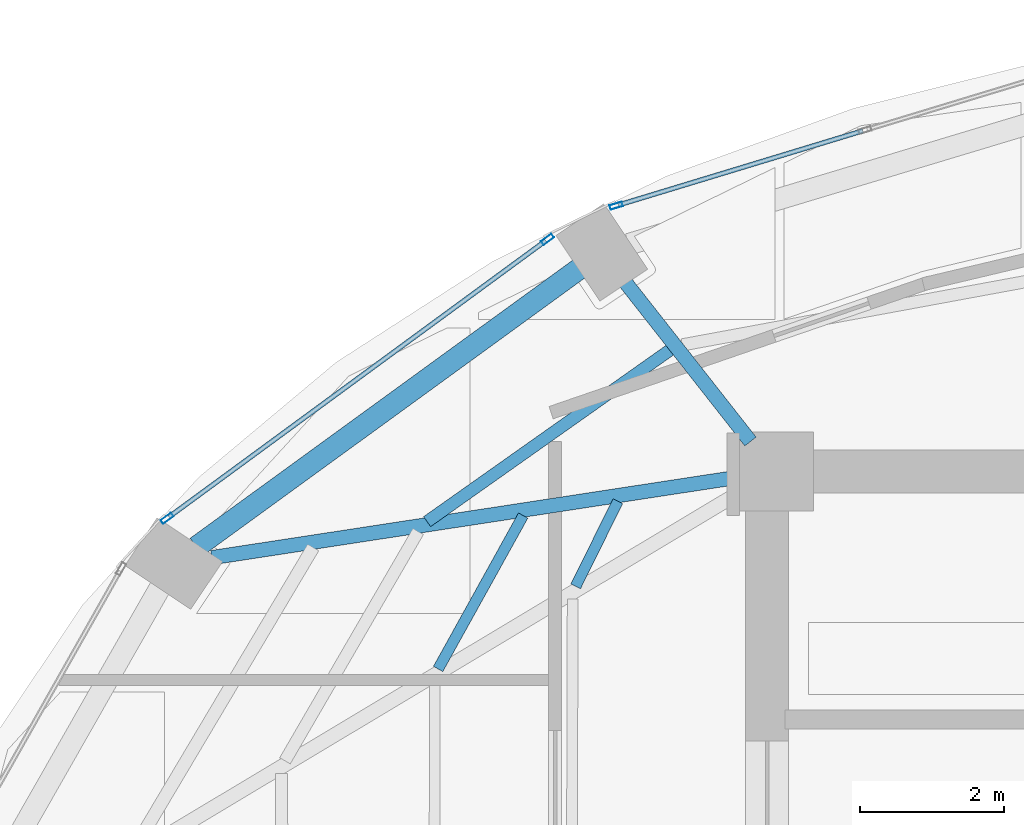
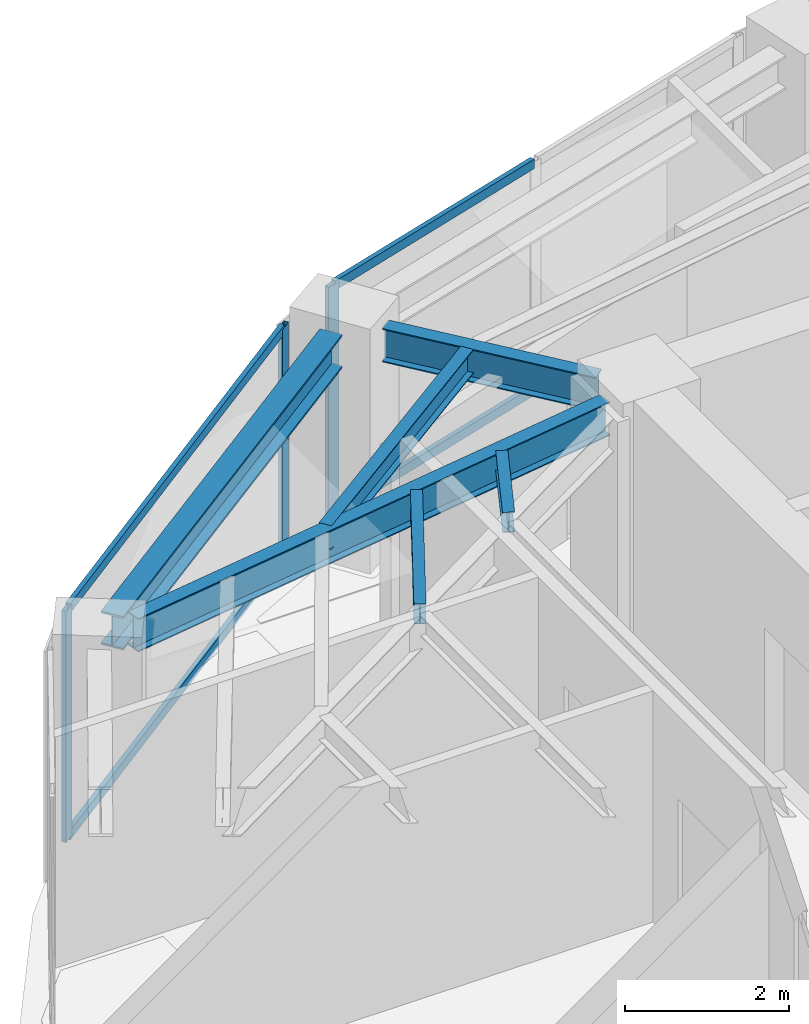
# One storey, part 10 of 23: 7 members, 6 beams, 2 elements without a shape of their own.
"""IFC4 building model written with IfcOpenShell, lengths in metres."""

from ifc_helpers import new_model, si_unit, direction, frame, origin, origin_2d, place, context, subcontext, project, spatial, hollow_rectangle, i_section, extrude, material, layer, layer_set, material_profile, profile_set, type_object, element, aggregate, save


model = new_model("IFC4")

# Units and contexts
model_context = context("Model", 3, precision=1e-05, world=origin(), true_north=direction((0.0, 1.0)))
body_context = subcontext(model_context, "Body", "Model", "MODEL_VIEW")
ifc_project = project(units=[si_unit("LENGTHUNIT", "METRE"), si_unit("AREAUNIT", "SQUARE_METRE"), si_unit("VOLUMEUNIT", "CUBIC_METRE"), si_unit("PLANEANGLEUNIT", "RADIAN"), si_unit("MASSUNIT", "GRAM", prefix="KILO")], contexts=[model_context])

# Site, building, storey
site_placement = place(None, origin())
site = spatial("IfcSite", under=ifc_project, at=site_placement, CompositionType="ELEMENT")
building_placement = place(site_placement, origin())
building = spatial("IfcBuilding", under=site, at=building_placement, Name="Lazwardi Medical Tower", CompositionType="ELEMENT")
storey_placement = place(building_placement, frame((0.0, 0.0, 198.47998046875)))
storey = spatial("IfcBuildingStorey", under=building, at=storey_placement, Name="L51", CompositionType="ELEMENT", Elevation=198.47998046875)

# Beams
ifc_material_1 = material(Name="Steel S355", Category="steel")
ifc_material_profile_1 = material_profile(ifc_material_1, i_section(OverallWidth=0.300048828125, OverallDepth=0.5, WebThickness=0.014404296875, FlangeThickness=0.028076171875, at=origin_2d()), Name="HEB 500")
ifc_profile_set_1 = profile_set([ifc_material_profile_1], Name="Steel S355")
beam_type_1 = type_object("IfcBeamType", Name="BM-RB-Z4", PredefinedType="BEAM", material=ifc_profile_set_1)
beam_1_placement = place(storey_placement, frame((23.68408203125, 38.4248046875, 3.197998046875), z_axis=(-0.808889916254, -0.587960120571, 0.0), x_axis=(0.587960120571, -0.808889916254, 0.0)))
element("IfcBeam", 1, at=beam_1_placement, inside=storey, type_object=beam_type_1, Name="Ring beam RB-05 B10 L51", PredefinedType="BEAM", context=body_context, shape_type="SweptSolid", body=[
    extrude(i_section(OverallWidth=0.300048828125, OverallDepth=0.5, WebThickness=0.014404296875, FlangeThickness=0.028076171875, at=origin_2d()), origin(), (0.0, 0.0, 1.0), 6.587158203125),
])
ifc_material_profile_2 = material_profile(ifc_material_1, i_section(OverallWidth=0.199951171875, OverallDepth=0.5, WebThickness=0.01025390625, FlangeThickness=0.01611328125, at=origin_2d()), Name="IPE 500")
ifc_profile_set_2 = profile_set([ifc_material_profile_2], Name="Steel S355")
beam_type_2 = type_object("IfcBeamType", Name="BM-RG-W3", PredefinedType="BEAM", material=ifc_profile_set_2)
beam_2_placement = place(storey_placement, frame((24.330322265625, 38.2333984375, 3.197998046875), z_axis=(0.617890508382, -0.786264153864, 0.0), x_axis=(0.786264153864, 0.617890508382, 0.0)))
element("IfcBeam", 2, at=beam_2_placement, inside=storey, type_object=beam_type_2, Name="Radial girder RG-04 R10 L51", PredefinedType="BEAM", context=body_context, shape_type="SweptSolid", body=[
    extrude(i_section(OverallWidth=0.199951171875, OverallDepth=0.5, WebThickness=0.01025390625, FlangeThickness=0.01611328125, at=origin_2d()), origin(), (0.0, 0.0, 1.0), 2.814453125),
])
beam_3_placement = place(storey_placement, frame((18.569091796875, 34.4033203125, 3.197998046875), z_axis=(0.988522137285, 0.151076087115, 0.0), x_axis=(-0.151076087115, 0.988522137285, 0.0)))
element("IfcBeam", 3, at=beam_3_placement, inside=storey, type_object=beam_type_2, Name="Radial girder RG-04 R11 L51", PredefinedType="BEAM", context=body_context, shape_type="SweptSolid", body=[
    extrude(i_section(OverallWidth=0.199951171875, OverallDepth=0.5, WebThickness=0.01025390625, FlangeThickness=0.01611328125, at=origin_2d()), origin(), (0.0, 0.0, 1.0), 7.38671875),
])
ifc_material_profile_3 = material_profile(ifc_material_1, i_section(OverallWidth=0.169921875, OverallDepth=0.360107421875, WebThickness=0.008056640625, FlangeThickness=0.0126953125, at=origin_2d()), Name="IPE 360")
ifc_profile_set_3 = profile_set([ifc_material_profile_3], Name="Steel S355")
beam_type_3 = type_object("IfcBeamType", Name="BM-SJ-02", PredefinedType="JOIST", material=ifc_profile_set_3)
beam_4_placement = place(storey_placement, frame((24.948486328125, 37.29345703125, 3.26806640625), z_axis=(-0.816711190406, -0.577046645832, 0.0), x_axis=(0.577046645832, -0.816711190406, 0.0)))
element("IfcBeam", 4, at=beam_4_placement, inside=storey, type_object=beam_type_3, Name="Secondary joist SJ-02 R2 B10 L51", PredefinedType="JOIST", context=body_context, shape_type="SweptSolid", body=[
    extrude(i_section(OverallWidth=0.169921875, OverallDepth=0.360107421875, WebThickness=0.008056640625, FlangeThickness=0.0126953125, at=origin_2d()), origin(), (0.0, 0.0, 1.0), 4.139892578125),
])
ifc_material_profile_4 = material_profile(ifc_material_1, i_section(OverallWidth=0.14990234375, OverallDepth=0.300048828125, WebThickness=0.007080078125, FlangeThickness=0.0107421875, at=origin_2d()), Name="IPE 300")
ifc_profile_set_4 = profile_set([ifc_material_profile_4], Name="Steel S355")
beam_type_4 = type_object("IfcBeamType", Name="BM-SJ-03", PredefinedType="JOIST", material=ifc_profile_set_4)
beam_5_placement = place(storey_placement, frame((22.904296875, 34.98974609375, 3.298095703125), z_axis=(-0.484751625998, -0.874651851363, 0.0), x_axis=(0.874651851363, -0.484751625998, 0.0)))
element("IfcBeam", 5, at=beam_5_placement, inside=storey, type_object=beam_type_4, Name="Secondary joist SJ-03 R3 B11 L51", PredefinedType="JOIST", context=body_context, shape_type="SweptSolid", body=[
    extrude(i_section(OverallWidth=0.14990234375, OverallDepth=0.300048828125, WebThickness=0.007080078125, FlangeThickness=0.0107421875, at=origin_2d()), origin(), (0.0, 0.0, 1.0), 2.442626953125),
])
beam_6_placement = place(storey_placement, frame((24.222412109375, 35.188720703125, 3.298095703125), z_axis=(-0.443587297772, -0.89623116954, 0.0), x_axis=(0.89623116954, -0.443587297772, 0.0)))
element("IfcBeam", 6, at=beam_6_placement, inside=storey, type_object=beam_type_4, Name="Secondary joist SJ-03 R4 B11 L51", PredefinedType="JOIST", context=body_context, shape_type="SweptSolid", body=[
    extrude(i_section(OverallWidth=0.14990234375, OverallDepth=0.300048828125, WebThickness=0.007080078125, FlangeThickness=0.0107421875, at=origin_2d()), origin(), (0.0, 0.0, 1.0), 1.32080078125),
])

# Curtain wall, member
ifc_material_2 = material(Name="Anodised bronze aluminium and solar control glazing", Category="aluminium")
ifc_layer = layer(ifc_material_2, 0.18994140625)
ifc_layer_set = layer_set([ifc_layer], Name="Anodised bronze aluminium and solar control glazing")
curtain_wall_type = type_object("IfcCurtainWallType", Name="CW-SYS-04", PredefinedType="NOTDEFINED", material=ifc_layer_set)
curtain_wall_1_placement = place(storey_placement, origin())
curtain_wall_1 = element("IfcCurtainWall", 7, at=curtain_wall_1_placement, inside=storey, type_object=curtain_wall_type, Name="L51 Unitised bronze curtain wall CW-04", PredefinedType="NOTDEFINED")
ifc_material_3 = material(Name="Anodised bronze aluminium", Category="aluminium")
ifc_material_profile_5 = material_profile(ifc_material_3, hollow_rectangle(XDim=0.06494140625, YDim=0.179931640625, WallThickness=0.00390625, at=origin_2d()), Name="ALU-MULLION 180x65x4")
ifc_profile_set_5 = profile_set([ifc_material_profile_5], Name="Anodised bronze aluminium")
member_type_1 = type_object("IfcMemberType", Name="CW-MUL-03", PredefinedType="MULLION", material=ifc_profile_set_5)
member_1_placement = place(storey_placement, frame((24.2001953125, 39.303466796875, 0.0), z_axis=(0.0, 0.0, 1.0), x_axis=(0.290581889515, -0.956850126972, 0.0)))
member_1 = element("IfcMember", 8, at=member_1_placement, type_object=member_type_1, Name="CW-04 mullion 3", PredefinedType="MULLION", context=body_context, shape_type="SweptSolid", body=[
    extrude(hollow_rectangle(XDim=0.06494140625, YDim=0.179931640625, WallThickness=0.00390625, at=origin_2d()), origin(), (0.0, 0.0, 1.0), 3.447998046875),
])

# Curtain wall, members
curtain_wall_2_placement = place(storey_placement, origin())
curtain_wall_2 = element("IfcCurtainWall", 9, at=curtain_wall_2_placement, inside=storey, type_object=curtain_wall_type, Name="L51 Unitised bronze curtain wall CW-04", PredefinedType="NOTDEFINED")
member_2_placement = place(storey_placement, frame((23.24462890625, 38.8349609375, 0.0), z_axis=(0.0, 0.0, 1.0), x_axis=(0.591268230971, -0.806474971121, 0.0)))
member_2 = element("IfcMember", 10, at=member_2_placement, type_object=member_type_1, Name="CW-04 mullion 1", PredefinedType="MULLION", context=body_context, shape_type="SweptSolid", body=[
    extrude(hollow_rectangle(XDim=0.06494140625, YDim=0.179931640625, WallThickness=0.00390625, at=origin_2d()), origin(), (0.0, 0.0, 1.0), 3.447998046875),
])
member_3_placement = place(storey_placement, frame((17.947998046875, 34.95166015625, 0.0), z_axis=(0.0, 0.0, 1.0), x_axis=(0.591268230971, -0.806474971121, 0.0)))
member_3 = element("IfcMember", 11, at=member_3_placement, type_object=member_type_1, Name="CW-04 mullion 2", PredefinedType="MULLION", context=body_context, shape_type="SweptSolid", body=[
    extrude(hollow_rectangle(XDim=0.06494140625, YDim=0.179931640625, WallThickness=0.00390625, at=origin_2d()), origin(), (0.0, 0.0, 1.0), 3.447998046875),
])

# Member
ifc_material_profile_6 = material_profile(ifc_material_3, hollow_rectangle(XDim=0.06494140625, YDim=0.139892578125, WallThickness=0.00341796875, at=origin_2d()), Name="ALU-TRANSOM 140x65x3.5")
ifc_profile_set_6 = profile_set([ifc_material_profile_6], Name="Anodised bronze aluminium")
member_type_2 = type_object("IfcMemberType", Name="CW-TRN-03", PredefinedType="USERDEFINED", material=ifc_profile_set_6)
member_4_placement = place(storey_placement, frame((27.632568359375, 40.345947265625, 0.032470703125), z_axis=(-0.956843409009, -0.290604010015, 0.0), x_axis=(0.290604010015, -0.956843409009, 0.0)))
member_4 = element("IfcMember", 12, at=member_4_placement, type_object=member_type_2, Name="CW-04 transom 2.1", ObjectType="TRANSOM", PredefinedType="USERDEFINED", context=body_context, shape_type="SweptSolid", body=[
    extrude(hollow_rectangle(XDim=0.06494140625, YDim=0.139892578125, WallThickness=0.00341796875, at=origin_2d()), origin(), (0.0, 0.0, 1.0), 3.554443359375),
])

member_5_placement = place(storey_placement, frame((27.632568359375, 40.345947265625, 3.41552734375), z_axis=(-0.956843409009, -0.290604010015, 0.0), x_axis=(0.290604010015, -0.956843409009, 0.0)))
member_5 = element("IfcMember", 13, at=member_5_placement, type_object=member_type_2, Name="CW-04 transom 2.2", ObjectType="TRANSOM", PredefinedType="USERDEFINED", context=body_context, shape_type="SweptSolid", body=[
    extrude(hollow_rectangle(XDim=0.06494140625, YDim=0.139892578125, WallThickness=0.00341796875, at=origin_2d()), origin(), (0.0, 0.0, 1.0), 3.554443359375),
])

aggregate(curtain_wall_1, [member_1, member_4, member_5])

member_6_placement = place(storey_placement, frame((23.218505859375, 38.815673828125, 0.032470703125), z_axis=(-0.80648973359, -0.591248094808, 0.0), x_axis=(0.591248094808, -0.80648973359, 0.0)))
member_6 = element("IfcMember", 14, at=member_6_placement, type_object=member_type_2, Name="CW-04 transom 1.1", ObjectType="TRANSOM", PredefinedType="USERDEFINED", context=body_context, shape_type="SweptSolid", body=[
    extrude(hollow_rectangle(XDim=0.06494140625, YDim=0.139892578125, WallThickness=0.00341796875, at=origin_2d()), origin(), (0.0, 0.0, 1.0), 6.502685546875),
])

member_7_placement = place(storey_placement, frame((23.218505859375, 38.815673828125, 3.41552734375), z_axis=(-0.80648973359, -0.591248094808, 0.0), x_axis=(0.591248094808, -0.80648973359, 0.0)))
member_7 = element("IfcMember", 15, at=member_7_placement, type_object=member_type_2, Name="CW-04 transom 1.2", ObjectType="TRANSOM", PredefinedType="USERDEFINED", context=body_context, shape_type="SweptSolid", body=[
    extrude(hollow_rectangle(XDim=0.06494140625, YDim=0.139892578125, WallThickness=0.00341796875, at=origin_2d()), origin(), (0.0, 0.0, 1.0), 6.502685546875),
])

aggregate(curtain_wall_2, [member_2, member_3, member_6, member_7])

save(model, "model.ifc")
